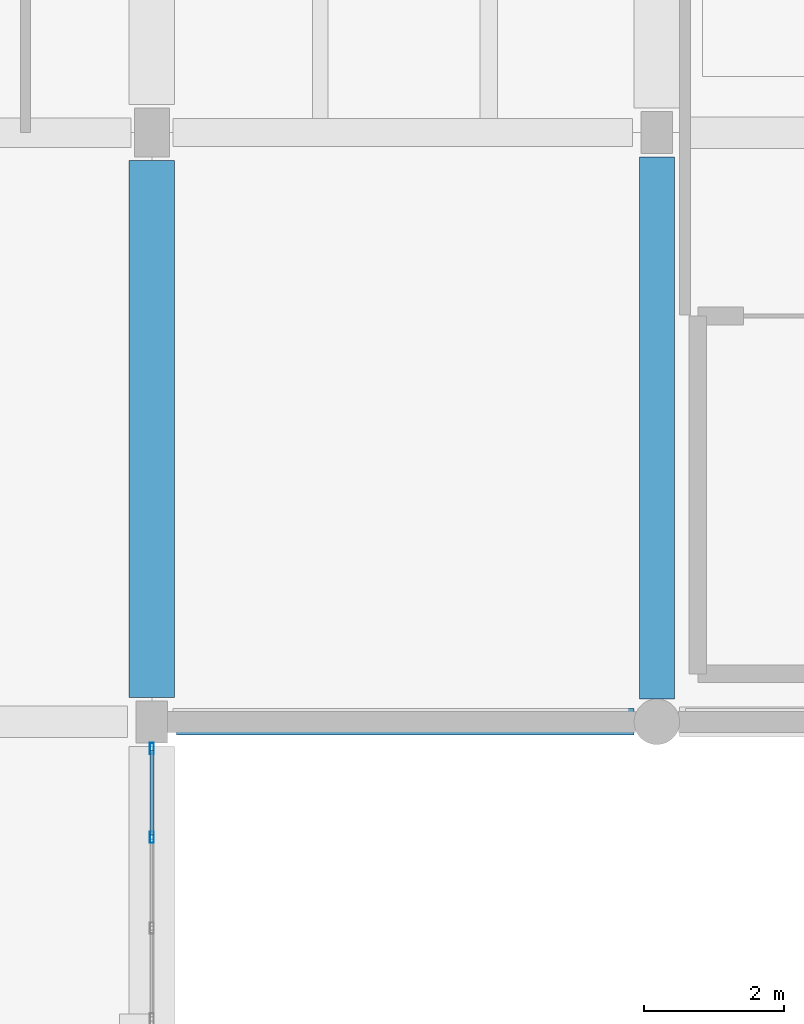
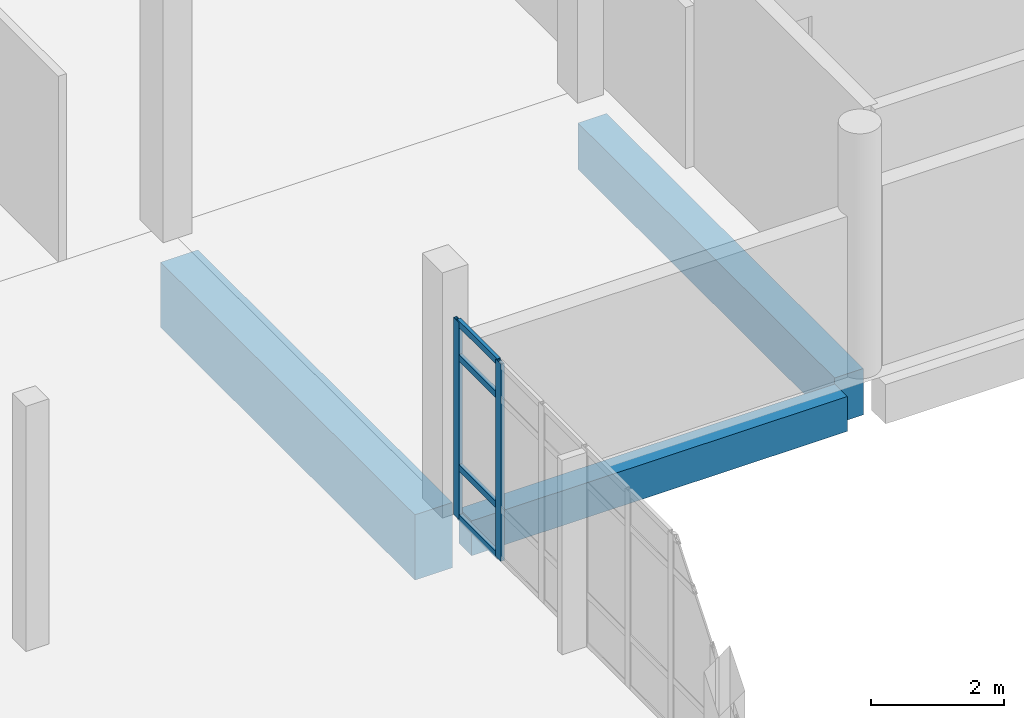
# One storey, part 26 of 62: 6 members, 3 beams, 1 element without a shape of its own.
"""IFC4 building model written with IfcOpenShell, lengths in metres."""

from ifc_helpers import new_model, si_unit, direction, frame, origin, origin_2d, place, context, subcontext, project, spatial, rectangle, hollow_rectangle, extrude, material, material_profile, profile_set, type_object, element, aggregate, save


model = new_model("IFC4")

# Units and contexts
model_context = context("Model", 3, precision=1e-05, world=origin(), true_north=direction((0.0, 1.0)))
body_context = subcontext(model_context, "Body", "Model", "MODEL_VIEW")
ifc_project = project(units=[si_unit("LENGTHUNIT", "METRE"), si_unit("AREAUNIT", "SQUARE_METRE"), si_unit("VOLUMEUNIT", "CUBIC_METRE"), si_unit("PLANEANGLEUNIT", "RADIAN"), si_unit("MASSUNIT", "GRAM", prefix="KILO")], contexts=[model_context])

# Site, building, storey
site_placement = place(None, origin())
site = spatial("IfcSite", under=ifc_project, at=site_placement, CompositionType="ELEMENT")
building_placement = place(site_placement, origin())
building = spatial("IfcBuilding", under=site, at=building_placement, Name="Kalluvel Institute of Natural Sciences", CompositionType="ELEMENT")
storey_placement = place(building_placement, frame((0.0, 0.0, 27.89990234375)))
storey = spatial("IfcBuildingStorey", under=building, at=storey_placement, Name="L06", CompositionType="ELEMENT", Elevation=27.89990234375)

# Beams
ifc_material_1 = material(Name="Concrete M40", Category="concrete")
ifc_material_profile_1 = material_profile(ifc_material_1, rectangle(XDim=0.3798828125, YDim=0.639892578125, at=origin_2d()), Name="RCB 380x640")
ifc_profile_set_1 = profile_set([ifc_material_profile_1], Name="Concrete M40")
beam_type_1 = type_object("IfcBeamType", Name="BM-RC380x640", PredefinedType="BEAM", material=ifc_profile_set_1)
beam_1_placement = place(storey_placement, frame((35.949951171875, 94.39990234375, -0.639892578125), z_axis=(1.0, 0.0, 0.0), x_axis=(0.0, 1.0, 0.0)))
element("IfcBeam", 1, at=beam_1_placement, inside=storey, type_object=beam_type_1, Name="L06 girder GIR-L06-EW-X356-Y944", PredefinedType="BEAM", context=body_context, shape_type="SweptSolid", body=[
    extrude(rectangle(XDim=0.3798828125, YDim=0.639892578125, at=origin_2d()), origin(), (0.0, 0.0, 1.0), 6.525146484375),
])
ifc_material_2 = material(Name="Concrete M50", Category="concrete")
ifc_material_profile_2 = material_profile(ifc_material_2, rectangle(XDim=0.5, YDim=0.85009765625, at=origin_2d()), Name="RCB 500x850")
ifc_profile_set_2 = profile_set([ifc_material_profile_2], Name="Concrete M50")
beam_type_2 = type_object("IfcBeamType", Name="BM-RC500x850", PredefinedType="BEAM", material=ifc_profile_set_2)
beam_2_placement = place(storey_placement, frame((42.800048828125, 94.72509765625, -0.744873046875), z_axis=(0.0, 1.0, 0.0), x_axis=(-1.0, 0.0, 0.0)))
element("IfcBeam", 2, at=beam_2_placement, inside=storey, type_object=beam_type_2, Name="L06 girder GIR-L06-NS-X428-Y944", PredefinedType="BEAM", context=body_context, shape_type="SweptSolid", body=[
    extrude(rectangle(XDim=0.5, YDim=0.85009765625, at=origin_2d()), origin(), (0.0, 0.0, 1.0), 7.724853515625),
])
ifc_material_profile_3 = material_profile(ifc_material_2, rectangle(XDim=0.64990234375, YDim=1.199951171875, at=origin_2d()), Name="RCB 650x1200")
ifc_profile_set_3 = profile_set([ifc_material_profile_3], Name="Concrete M50")
beam_type_3 = type_object("IfcBeamType", Name="BM-RC650x1200", PredefinedType="BEAM", material=ifc_profile_set_3)
beam_3_placement = place(storey_placement, frame((35.60009765625, 94.75, -0.89990234375), z_axis=(0.0, 1.0, 0.0), x_axis=(-1.0, 0.0, 0.0)))
element("IfcBeam", 3, at=beam_3_placement, inside=storey, type_object=beam_type_3, Name="L06 girder GIR-L06-NS-X356-Y944", PredefinedType="BEAM", context=body_context, shape_type="SweptSolid", body=[
    extrude(rectangle(XDim=0.64990234375, YDim=1.199951171875, at=origin_2d()), origin(), (0.0, 0.0, 1.0), 7.64990234375),
])

# Curtain wall, members
ifc_material_3 = material(Name="Aluminium AW-6063 T6", Category="aluminium")
curtain_wall_type = type_object("IfcCurtainWallType", Name="CW-DRY-45", PredefinedType="USERDEFINED", material=ifc_material_3)
curtain_wall_placement = place(storey_placement, origin())
curtain_wall = element("IfcCurtainWall", 4, at=curtain_wall_placement, inside=storey, type_object=curtain_wall_type, Name="L06 Gothic lancet curtain wall CWA-L06-X356-Y863", ObjectType="UNITISED LANCET FACADE", PredefinedType="USERDEFINED")
ifc_material_profile_4 = material_profile(ifc_material_3, hollow_rectangle(XDim=0.06005859375, YDim=0.159912109375, WallThickness=0.00390625, at=origin_2d()), Name="CWM 60x160")
ifc_profile_set_4 = profile_set([ifc_material_profile_4], Name="Aluminium AW-6063 T6")
member_type_1 = type_object("IfcMemberType", Name="CWM-60x160", PredefinedType="MULLION", material=ifc_profile_set_4)
member_1_placement = place(storey_placement, frame((35.60009765625, 92.754150390625, 0.0), z_axis=(0.0, 0.0, 1.0), x_axis=(-1.0, 0.0, 0.0)))
member_1 = element("IfcMember", 5, at=member_1_placement, type_object=member_type_1, Name="CW-03 mullion 6", PredefinedType="MULLION", context=body_context, shape_type="SweptSolid", body=[
    extrude(hollow_rectangle(XDim=0.06005859375, YDim=0.159912109375, WallThickness=0.00390625, at=origin_2d()), origin(), (0.0, 0.0, 1.0), 3.6201171875),
])
member_2_placement = place(storey_placement, frame((35.60009765625, 94.02001953125, 0.0), z_axis=(0.0, 0.0, 1.0), x_axis=(-1.0, 0.0, 0.0)))
member_2 = element("IfcMember", 6, at=member_2_placement, type_object=member_type_1, Name="CW-03 mullion 7", PredefinedType="MULLION", context=body_context, shape_type="SweptSolid", body=[
    extrude(hollow_rectangle(XDim=0.06005859375, YDim=0.159912109375, WallThickness=0.00390625, at=origin_2d()), origin(), (0.0, 0.0, 1.0), 3.6201171875),
])
ifc_material_profile_5 = material_profile(ifc_material_3, hollow_rectangle(XDim=0.06005859375, YDim=0.1201171875, WallThickness=0.00390625, at=origin_2d()), Name="CWT 60x120")
ifc_profile_set_5 = profile_set([ifc_material_profile_5], Name="Aluminium AW-6063 T6")
member_type_2 = type_object("IfcMemberType", Name="CWT-60x120", PredefinedType="USERDEFINED", material=ifc_profile_set_5)
member_3_placement = place(storey_placement, frame((35.60009765625, 92.7841796875, 0.030029296875), z_axis=(0.0, 1.0, 0.0), x_axis=(-1.0, 0.0, 0.0)))
member_3 = element("IfcMember", 7, at=member_3_placement, type_object=member_type_2, Name="CW-03 transom 6.1", ObjectType="TRANSOM", PredefinedType="USERDEFINED", context=body_context, shape_type="SweptSolid", body=[
    extrude(hollow_rectangle(XDim=0.06005859375, YDim=0.1201171875, WallThickness=0.00390625, at=origin_2d()), origin(), (0.0, 0.0, 1.0), 1.205810546875),
])
member_4_placement = place(storey_placement, frame((35.60009765625, 92.7841796875, 0.9501953125), z_axis=(0.0, 1.0, 0.0), x_axis=(-1.0, 0.0, 0.0)))
member_4 = element("IfcMember", 8, at=member_4_placement, type_object=member_type_2, Name="CW-03 transom 6.2", ObjectType="TRANSOM", PredefinedType="USERDEFINED", context=body_context, shape_type="SweptSolid", body=[
    extrude(hollow_rectangle(XDim=0.06005859375, YDim=0.1201171875, WallThickness=0.00390625, at=origin_2d()), origin(), (0.0, 0.0, 1.0), 1.205810546875),
])
member_5_placement = place(storey_placement, frame((35.60009765625, 92.7841796875, 2.97021484375), z_axis=(0.0, 1.0, 0.0), x_axis=(-1.0, 0.0, 0.0)))
member_5 = element("IfcMember", 9, at=member_5_placement, type_object=member_type_2, Name="CW-03 transom 6.3", ObjectType="TRANSOM", PredefinedType="USERDEFINED", context=body_context, shape_type="SweptSolid", body=[
    extrude(hollow_rectangle(XDim=0.06005859375, YDim=0.1201171875, WallThickness=0.00390625, at=origin_2d()), origin(), (0.0, 0.0, 1.0), 1.205810546875),
])
member_6_placement = place(storey_placement, frame((35.60009765625, 92.7841796875, 3.590087890625), z_axis=(0.0, 1.0, 0.0), x_axis=(-1.0, 0.0, 0.0)))
member_6 = element("IfcMember", 10, at=member_6_placement, type_object=member_type_2, Name="CW-03 transom 6.4", ObjectType="TRANSOM", PredefinedType="USERDEFINED", context=body_context, shape_type="SweptSolid", body=[
    extrude(hollow_rectangle(XDim=0.06005859375, YDim=0.1201171875, WallThickness=0.00390625, at=origin_2d()), origin(), (0.0, 0.0, 1.0), 1.205810546875),
])
aggregate(curtain_wall, [member_1, member_2, member_3, member_4, member_5, member_6])

save(model, "model.ifc")
